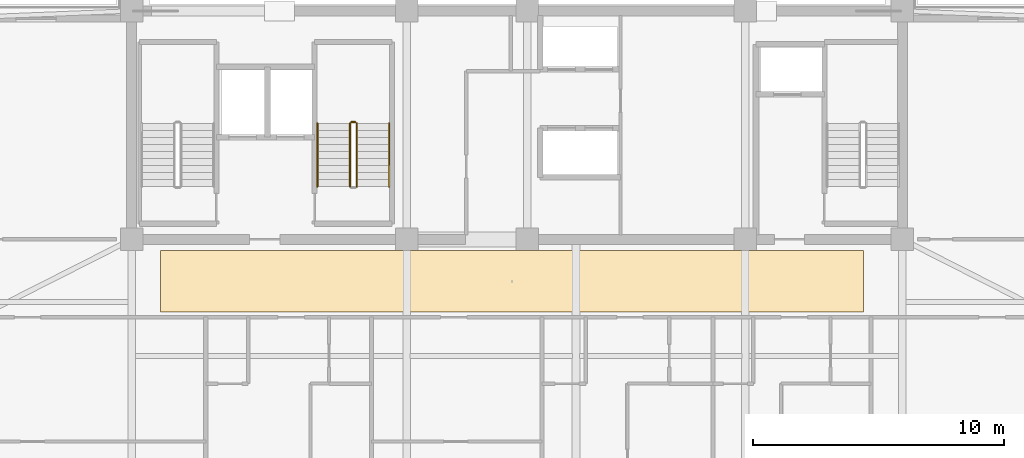
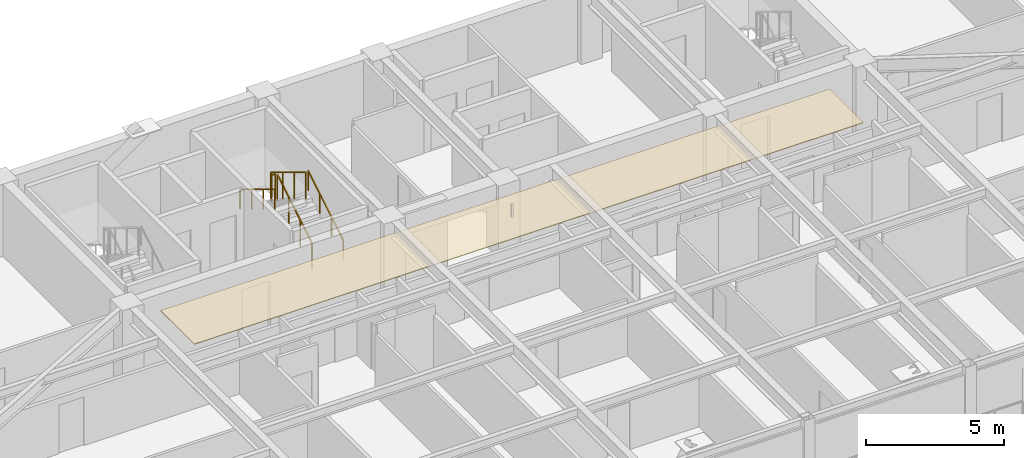
# One storey, part 14 of 15: 5 railings, 1 covering.
"""IFC4 building model written with IfcOpenShell, lengths in metres."""

from ifc_helpers import new_model, si_unit, direction, frame, origin, origin_2d, place, context, subcontext, project, spatial, polyline, rectangle, outline, extrude, material, layer, layer_set, type_object, element, save


model = new_model("IFC4")

# Units and contexts
model_context = context("Model", 3, precision=1e-05, world=origin(), true_north=direction((0.0, 1.0)))
body_context = subcontext(model_context, "Body", "Model", "MODEL_VIEW")
ifc_project = project(units=[si_unit("LENGTHUNIT", "METRE"), si_unit("AREAUNIT", "SQUARE_METRE"), si_unit("VOLUMEUNIT", "CUBIC_METRE"), si_unit("PLANEANGLEUNIT", "RADIAN"), si_unit("MASSUNIT", "GRAM", prefix="KILO")], contexts=[model_context])

# Site, building, storey
site_placement = place(None, origin())
site = spatial("IfcSite", under=ifc_project, at=site_placement, CompositionType="ELEMENT")
building_placement = place(site_placement, origin())
building = spatial("IfcBuilding", under=site, at=building_placement, Name="Giltprow Tower", CompositionType="ELEMENT")
storey_placement = place(building_placement, frame((0.0, 0.0, 293.800048828125)))
storey = spatial("IfcBuildingStorey", under=building, at=storey_placement, Name="L75", CompositionType="ELEMENT", Elevation=293.800048828125)

# Covering
ifc_material_1 = material(Name="Painted gypsum board", Category="gypsum")
ifc_layer = layer(ifc_material_1, 0.030029296875, Name="Painted gypsum board")
ifc_layer_set = layer_set([ifc_layer], Name="Painted gypsum board")
covering_type = type_object("IfcCoveringType", Name="COV-CLG-GYPSUM", PredefinedType="CEILING", material=ifc_layer_set)
covering_placement = place(storey_placement, frame((0.0, 0.0, 2.619873046875)))
element("IfcCovering", 1, at=covering_placement, inside=storey, type_object=covering_type, Name="L75 Residence Gallery Ceiling", PredefinedType="CEILING", context=body_context, shape_type="SweptSolid", body=[
    extrude(outline(polyline([(21.0, 34.550048828125), (49.0, 34.550048828125), (49.0, 37.0), (21.0, 37.0), (21.0, 34.550048828125)])), origin(), (0.0, 0.0, 1.0), 0.030029296875),
])

# Railings
ifc_material_2 = material(Name="Anodized bronze", Category="metal")
railing_type_1 = type_object("IfcRailingType", Name="RAIL-STAIR-GUARD-1200", PredefinedType="GUARDRAIL", material=ifc_material_2)
railing_1_placement = place(storey_placement, frame((28.81005859375, 39.550048828125, 0.169921875)))
element("IfcRailing", 2, at=railing_1_placement, inside=storey, type_object=railing_type_1, Name="L75 ST-2 stair guard 1", PredefinedType="GUARDRAIL", context=body_context, shape_type="SweptSolid", body=[
    extrude(rectangle(XDim=0.048095703125, YDim=0.048095703125, at=origin_2d()), frame((0.0, 0.0, 1.17578125), z_axis=(0.0, 0.85478489116, 0.518982456201), x_axis=(-1.0, 0.0, 0.0)), (0.0, 0.0, 1.0), 2.9482421875),
    extrude(rectangle(XDim=0.0419921875, YDim=0.0419921875, at=origin_2d()), origin(), (0.0, 0.0, 1.0), 1.15185546875),
    extrude(rectangle(XDim=0.0419921875, YDim=0.0419921875, at=origin_2d()), frame((0.0, 0.840087890625, 0.510009765625)), (0.0, 0.0, 1.0), 1.15185546875),
    extrude(rectangle(XDim=0.0419921875, YDim=0.0419921875, at=origin_2d()), frame((0.0, 1.679931640625, 1.02001953125)), (0.0, 0.0, 1.0), 1.15185546875),
    extrude(rectangle(XDim=0.0419921875, YDim=0.0419921875, at=origin_2d()), frame((0.0, 2.52001953125, 1.530029296875)), (0.0, 0.0, 1.0), 1.15185546875),
])
railing_2_placement = place(storey_placement, frame((28.760009765625, 42.1201171875, 1.699951171875)))
element("IfcRailing", 3, at=railing_2_placement, inside=storey, type_object=railing_type_1, Name="L75 ST-2 stair guard 2", PredefinedType="GUARDRAIL", context=body_context, shape_type="SweptSolid", body=[
    extrude(rectangle(XDim=0.048095703125, YDim=0.048095703125, at=origin_2d()), frame((0.0, 0.0, 1.17578125), z_axis=(-1.0, 0.0, 0.0), x_axis=(0.0, -1.0, 0.0)), (0.0, 0.0, 1.0), 0.159912109375),
    extrude(rectangle(XDim=0.0419921875, YDim=0.0419921875, at=origin_2d()), origin(), (0.0, 0.0, 1.0), 1.15185546875),
    extrude(rectangle(XDim=0.0419921875, YDim=0.0419921875, at=origin_2d()), frame((-0.159912109375, 0.0, 0.0)), (0.0, 0.0, 1.0), 1.15185546875),
])
railing_3_placement = place(storey_placement, frame((28.550048828125, 42.070068359375, 1.869873046875)))
element("IfcRailing", 4, at=railing_3_placement, inside=storey, type_object=railing_type_1, Name="L75 ST-2 stair guard 3", PredefinedType="GUARDRAIL", context=body_context, shape_type="SweptSolid", body=[
    extrude(rectangle(XDim=0.048095703125, YDim=0.048095703125, at=origin_2d()), frame((0.0, 0.0, 1.17578125), z_axis=(0.0, -0.85478489116, 0.518982456201), x_axis=(1.0, 0.0, 0.0)), (0.0, 0.0, 1.0), 2.9482421875),
    extrude(rectangle(XDim=0.0419921875, YDim=0.0419921875, at=origin_2d()), origin(), (0.0, 0.0, 1.0), 1.15185546875),
    extrude(rectangle(XDim=0.0419921875, YDim=0.0419921875, at=origin_2d()), frame((0.0, -0.840087890625, 0.510009765625)), (0.0, 0.0, 1.0), 1.15185546875),
    extrude(rectangle(XDim=0.0419921875, YDim=0.0419921875, at=origin_2d()), frame((0.0, -1.679931640625, 1.02001953125)), (0.0, 0.0, 1.0), 1.15185546875),
    extrude(rectangle(XDim=0.0419921875, YDim=0.0419921875, at=origin_2d()), frame((0.0, -2.52001953125, 1.530029296875)), (0.0, 0.0, 1.0), 1.15185546875),
])
railing_type_2 = type_object("IfcRailingType", Name="RAIL-STAIR-HAND-900", PredefinedType="HANDRAIL", material=ifc_material_2)
railing_4_placement = place(storey_placement, frame((30.110107421875, 39.550048828125, 0.169921875)))
element("IfcRailing", 5, at=railing_4_placement, inside=storey, type_object=railing_type_2, Name="L75 ST-2 stair handrail 1", PredefinedType="HANDRAIL", context=body_context, shape_type="SweptSolid", body=[
    extrude(rectangle(XDim=0.048095703125, YDim=0.048095703125, at=origin_2d()), frame((0.0, 0.0, 0.8759765625), z_axis=(0.0, 0.85478489116, 0.518982456201), x_axis=(-1.0, 0.0, 0.0)), (0.0, 0.0, 1.0), 2.9482421875),
    extrude(rectangle(XDim=0.0419921875, YDim=0.0419921875, at=origin_2d()), origin(), (0.0, 0.0, 1.0), 0.851806640625),
    extrude(rectangle(XDim=0.0419921875, YDim=0.0419921875, at=origin_2d()), frame((0.0, 0.840087890625, 0.510009765625)), (0.0, 0.0, 1.0), 0.851806640625),
    extrude(rectangle(XDim=0.0419921875, YDim=0.0419921875, at=origin_2d()), frame((0.0, 1.679931640625, 1.02001953125)), (0.0, 0.0, 1.0), 0.851806640625),
    extrude(rectangle(XDim=0.0419921875, YDim=0.0419921875, at=origin_2d()), frame((0.0, 2.52001953125, 1.530029296875)), (0.0, 0.0, 1.0), 0.851806640625),
])
railing_5_placement = place(storey_placement, frame((27.25, 42.070068359375, 1.869873046875)))
element("IfcRailing", 6, at=railing_5_placement, inside=storey, type_object=railing_type_2, Name="L75 ST-2 stair handrail 2", PredefinedType="HANDRAIL", context=body_context, shape_type="SweptSolid", body=[
    extrude(rectangle(XDim=0.048095703125, YDim=0.048095703125, at=origin_2d()), frame((0.0, 0.0, 0.8759765625), z_axis=(0.0, -0.85478489116, 0.518982456201), x_axis=(1.0, 0.0, 0.0)), (0.0, 0.0, 1.0), 2.9482421875),
    extrude(rectangle(XDim=0.0419921875, YDim=0.0419921875, at=origin_2d()), origin(), (0.0, 0.0, 1.0), 0.851806640625),
    extrude(rectangle(XDim=0.0419921875, YDim=0.0419921875, at=origin_2d()), frame((0.0, -0.840087890625, 0.510009765625)), (0.0, 0.0, 1.0), 0.851806640625),
    extrude(rectangle(XDim=0.0419921875, YDim=0.0419921875, at=origin_2d()), frame((0.0, -1.679931640625, 1.02001953125)), (0.0, 0.0, 1.0), 0.851806640625),
    extrude(rectangle(XDim=0.0419921875, YDim=0.0419921875, at=origin_2d()), frame((0.0, -2.52001953125, 1.530029296875)), (0.0, 0.0, 1.0), 0.851806640625),
])

save(model, "model.ifc")
